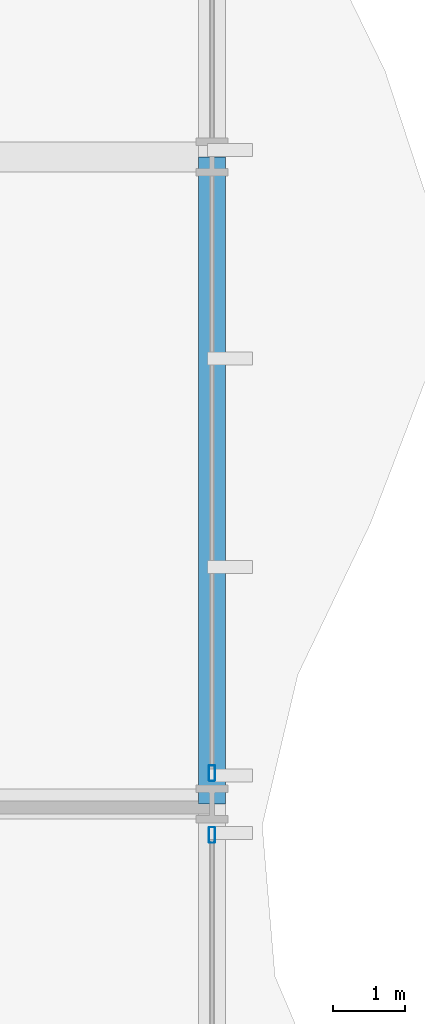
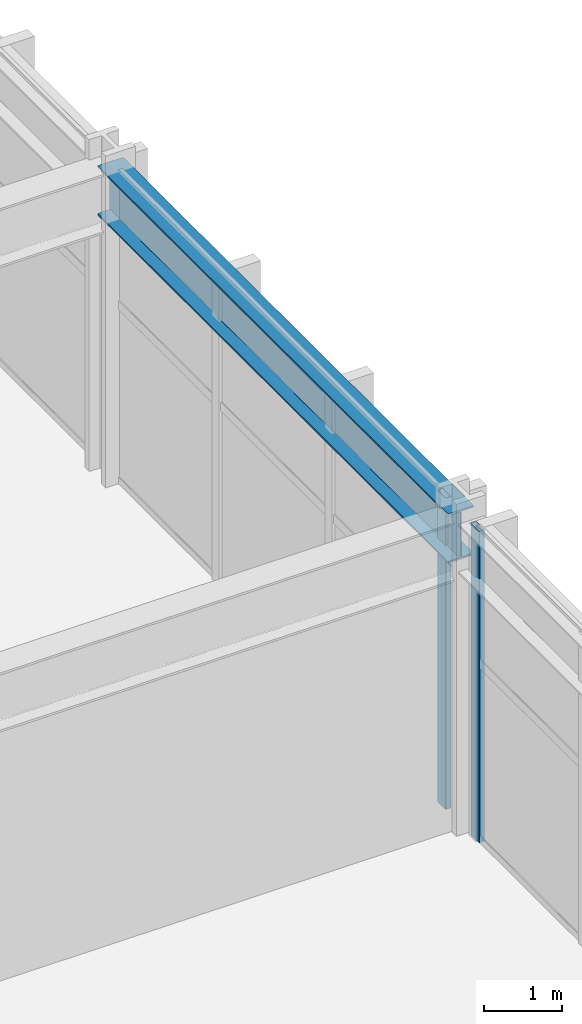
# One storey, part 13 of 31: 2 members, 1 beam, 2 elements without a shape of their own.
"""IFC4 building model written with IfcOpenShell, lengths in metres."""

import ifcopenshell
import ifcopenshell.guid

model = None  # the IFC model being written
_history = None  # IfcOwnerHistory: only IFC2X3 demands one
_inside = {}  # id of a spatial element -> (the spatial element, [elements in it])
_under = {}  # id of a project, library or spatial element -> (it, [spatial elements below it])
_declared = {}  # id of a project -> (the project, [libraries it declares])
_typed = {}  # id of a type object -> (the type object, [elements of that type])
_made_of = {}  # id of a material, layer set ... -> (it, [elements and type objects made of it])


def new_model(schema):
    """Start an empty IFC model of exactly this schema.

    Asked for "IFC4X3", IfcOpenShell would pick the latest addendum, in which some entities
    have other attributes; the version numbers below select the first issue.
    IFC2X3 requires an IfcOwnerHistory on every rooted entity: one is made here for all.
    """
    global model, _history
    if schema == "IFC4X3":
        model = ifcopenshell.file(schema_version=(4, 3, 0, 0))
    else:
        model = ifcopenshell.file(schema=schema)
    _inside.clear()
    _under.clear()
    _declared.clear()
    _typed.clear()
    _made_of.clear()
    _history = None
    if model.schema == "IFC2X3":
        org = make("IfcOrganization", Name="unknown")
        user = make(
            "IfcPersonAndOrganization",
            ThePerson=make("IfcPerson", FamilyName="unknown"),
            TheOrganization=org,
        )
        app = make(
            "IfcApplication",
            ApplicationDeveloper=org,
            Version="unknown",
            ApplicationFullName="unknown",
            ApplicationIdentifier="unknown",
        )
        _history = make(
            "IfcOwnerHistory",
            OwningUser=user,
            OwningApplication=app,
            ChangeAction="ADDED",
            CreationDate=0,
        )
    return model


def make(cls, **values):
    """One entity of the class cls with the attributes given. An attribute that is None is left unset."""
    return model.create_entity(
        cls, **{name: value for name, value in values.items() if value is not None}
    )


def rooted(cls, **values):
    """An entity with a GlobalId (a new one), such as an element, a storey or a relation."""
    return make(cls, GlobalId=ifcopenshell.guid.new(), OwnerHistory=_history, **values)


def si_unit(unit_type, name, prefix=None):
    """IfcSIUnit, for example si_unit("LENGTHUNIT", "METRE", prefix="MILLI")."""
    return make("IfcSIUnit", UnitType=unit_type, Prefix=prefix, Name=name)


def assignment(units):
    """IfcUnitAssignment: the units of a project."""
    return None if units is None else make("IfcUnitAssignment", Units=units)


def point(xyz):
    """IfcCartesianPoint."""
    return None if xyz is None else make("IfcCartesianPoint", Coordinates=xyz)


def direction(xyz):
    """IfcDirection."""
    return None if xyz is None else make("IfcDirection", DirectionRatios=xyz)


def frame(location, z_axis=None, x_axis=None):
    """IfcAxis2Placement3D, a coordinate frame: its origin and axes. An axis left out is left unset."""
    return make(
        "IfcAxis2Placement3D",
        Location=point(location),
        Axis=direction(z_axis),
        RefDirection=direction(x_axis),
    )


def frame_2d(location, x_axis=None):
    """IfcAxis2Placement2D, a coordinate frame in the plane: its origin and x axis."""
    return make(
        "IfcAxis2Placement2D", Location=point(location), RefDirection=direction(x_axis)
    )


def origin():
    """The frame at (0, 0, 0) with its axes left unset."""
    return frame((0.0, 0.0, 0.0))


def origin_2d():
    """The frame at (0, 0) in the plane with its x axis left unset."""
    return frame_2d((0.0, 0.0))


def place(relative_to, where):
    """IfcLocalPlacement: puts the frame where relative to a parent placement (None: the world)."""
    return make(
        "IfcLocalPlacement", PlacementRelTo=relative_to, RelativePlacement=where
    )


def context(
    kind, dimensions, precision=None, world=None, true_north=None, identifier=None
):
    """IfcGeometricRepresentationContext, for example the 3D "Model" context."""
    return make(
        "IfcGeometricRepresentationContext",
        ContextIdentifier=identifier,
        ContextType=kind,
        CoordinateSpaceDimension=dimensions,
        Precision=precision,
        WorldCoordinateSystem=world,
        TrueNorth=true_north,
    )


def subcontext(parent, identifier, kind, view, scale=None):
    """IfcGeometricRepresentationSubContext, for example "Body" below "Model"."""
    return make(
        "IfcGeometricRepresentationSubContext",
        ContextIdentifier=identifier,
        ContextType=kind,
        ParentContext=parent,
        TargetScale=scale,
        TargetView=view,
    )


def project(units=None, contexts=None):
    """IfcProject with its units and contexts."""
    return rooted(
        "IfcProject",
        Name="project",
        RepresentationContexts=contexts,
        UnitsInContext=assignment(units),
    )


def spatial(cls, under=None, at=None, **own):
    """A site, building, storey or space (cls), placed at a placement, below another one or the project."""
    s = rooted(cls, ObjectPlacement=at, **own)
    if under is not None:
        _under.setdefault(under.id(), (under, []))[1].append(s)
    return s


def profile(cls, at=None, kind="AREA", **sizes):
    """A parametric profile (cls). Its sizes go by their IFC names, for example OverallWidth=200.0."""
    return make(cls, ProfileType=kind, Position=at, **sizes)


def hollow_rectangle(**sizes):
    """IfcRectangleHollowProfileDef."""
    return profile("IfcRectangleHollowProfileDef", **sizes)


def i_section(**sizes):
    """IfcIShapeProfileDef."""
    return profile("IfcIShapeProfileDef", **sizes)


def extrude(swept, where, along, depth):
    """IfcExtrudedAreaSolid: the profile swept, set in the frame where, extruded along a direction by depth."""
    return make(
        "IfcExtrudedAreaSolid",
        SweptArea=swept,
        Position=where,
        ExtrudedDirection=direction(along),
        Depth=depth,
    )


def shape(context_of_items, identifier, shape_type, items):
    """IfcShapeRepresentation: the items that make up one representation, for example the "Body"."""
    return make(
        "IfcShapeRepresentation",
        ContextOfItems=context_of_items,
        RepresentationIdentifier=identifier,
        RepresentationType=shape_type,
        Items=items,
    )


def material(Name=None, Category=None):
    """IfcMaterial."""
    return make("IfcMaterial", Name=Name, Category=Category)


def layer(
    of_material, thickness, ventilated=None, Name=None, Category=None, Priority=None
):
    """IfcMaterialLayer: one layer of a wall or slab, of a material (None: an air gap)."""
    return make(
        "IfcMaterialLayer",
        Material=of_material,
        LayerThickness=thickness,
        IsVentilated=ventilated,
        Name=Name,
        Category=Category,
        Priority=Priority,
    )


def layer_set(layers, Name=None):
    """IfcMaterialLayerSet."""
    return make("IfcMaterialLayerSet", MaterialLayers=layers, LayerSetName=Name)


def material_profile(
    of_material, cross_section, Name=None, Category=None, Priority=None
):
    """IfcMaterialProfile: a cross section and its material."""
    return make(
        "IfcMaterialProfile",
        Name=Name,
        Material=of_material,
        Profile=cross_section,
        Priority=Priority,
        Category=Category,
    )


def profile_set(profiles, Name=None, composite=None):
    """IfcMaterialProfileSet."""
    return make(
        "IfcMaterialProfileSet",
        Name=Name,
        MaterialProfiles=profiles,
        CompositeProfile=composite,
    )


def made_of(thing, what):
    """Note that an element or type object is made of a material, layer set ...; save() writes the relation."""
    if what is not None:
        _made_of.setdefault(what.id(), (what, []))[1].append(thing)
    return thing


def type_object(cls, material=None, **own):
    """A type object (cls), such as IfcWallType, which elements share."""
    return made_of(rooted(cls, **own), material)


def element(
    cls,
    number,
    at=None,
    inside=None,
    cuts=None,
    type_object=None,
    material=None,
    context=None,
    identifier="Body",
    shape_type=None,
    held_by="IfcProductDefinitionShape",
    body=None,
    shapes=None,
    **own,
):
    """One element of the class cls, such as IfcWall. Its Tag is "e" and its number.

    at: its placement. inside: the storey or other place that contains it. cuts: it is an
    opening in that element (IfcRelVoidsElement). A single representation is given by context,
    identifier, shape_type and body (its items); several are given by shapes. held_by: the class
    of the entity that holds the representations. save() writes the other relations.
    """
    e = rooted(cls, Tag="e%d" % number, ObjectPlacement=at, **own)
    if body is not None:
        shapes = [shape(context, identifier, shape_type, body)]
    if shapes is not None:
        e.Representation = make(held_by, Representations=shapes)
    if inside is not None:
        _inside.setdefault(inside.id(), (inside, []))[1].append(e)
    if cuts is not None:
        rooted(
            "IfcRelVoidsElement", RelatingBuildingElement=cuts, RelatedOpeningElement=e
        )
    if type_object is not None:
        _typed.setdefault(type_object.id(), (type_object, []))[1].append(e)
    return made_of(e, material)


def aggregate(whole, parts):
    """IfcRelAggregates: a whole, such as a stair, and the parts it consists of."""
    return rooted("IfcRelAggregates", RelatingObject=whole, RelatedObjects=parts)


def save(model, path):
    """Write the relations noted so far, then the file.

    IfcRelAggregates (storeys below a building ...), IfcRelContainedInSpatialStructure (elements
    in a storey), IfcRelDefinesByType, IfcRelAssociatesMaterial and IfcRelDeclares: one each for
    every whole, place, type object, material and project.
    """
    for whole, parts in _under.values():
        aggregate(whole, parts)
    for where, things in _inside.values():
        rooted(
            "IfcRelContainedInSpatialStructure",
            RelatedElements=things,
            RelatingStructure=where,
        )
    for kind, things in _typed.values():
        rooted("IfcRelDefinesByType", RelatedObjects=things, RelatingType=kind)
    for what, things in _made_of.values():
        rooted("IfcRelAssociatesMaterial", RelatedObjects=things, RelatingMaterial=what)
    for by, libraries in _declared.values():
        rooted("IfcRelDeclares", RelatingContext=by, RelatedDefinitions=libraries)
    model.write(path)


model = new_model("IFC4")

# Units and contexts
model_context = context("Model", 3, precision=1e-05, world=origin(), true_north=direction((0.0, 1.0)))
body_context = subcontext(model_context, "Body", "Model", "MODEL_VIEW")
ifc_project = project(units=[si_unit("LENGTHUNIT", "METRE"), si_unit("AREAUNIT", "SQUARE_METRE"), si_unit("VOLUMEUNIT", "CUBIC_METRE"), si_unit("PLANEANGLEUNIT", "RADIAN"), si_unit("MASSUNIT", "GRAM", prefix="KILO")], contexts=[model_context])

# Site, building, storey
site_placement = place(None, origin())
site = spatial("IfcSite", under=ifc_project, at=site_placement, CompositionType="ELEMENT")
building_placement = place(site_placement, origin())
building = spatial("IfcBuilding", under=site, at=building_placement, Name="Solvaryn Broadcast Tower", CompositionType="ELEMENT")
storey_placement = place(building_placement, frame((0.0, 0.0, 11.0)))
storey = spatial("IfcBuildingStorey", under=building, at=storey_placement, Name="L02", CompositionType="ELEMENT", Elevation=11.0)

# Beam
ifc_material_1 = material(Name="Steel ASTM A992 Grade 50", Category="steel")
ifc_material_profile_1 = material_profile(ifc_material_1, i_section(OverallWidth=0.381103515625, OverallDepth=0.77294921875, WebThickness=0.0166015625, FlangeThickness=0.027099609375, FilletRadius=0.01806640625, at=origin_2d()))
ifc_profile_set_1 = profile_set([ifc_material_profile_1], Name="Steel ASTM A992 Grade 50")
beam_type = type_object("IfcBeamType", Name="BM-SP1-W30X173", PredefinedType="USERDEFINED", material=ifc_profile_set_1)
beam_placement = place(storey_placement, frame((63.0, 27.0, 4.493408203125), z_axis=(0.0, 1.0, 0.0), x_axis=(-1.0, 0.0, 0.0)))
element("IfcBeam", 1, at=beam_placement, inside=storey, type_object=beam_type, Name="L02 Spandrel Beam Y (27-36 @ X=63)", ObjectType="SPANDREL", PredefinedType="USERDEFINED", context=body_context, shape_type="SweptSolid", body=[
    extrude(i_section(OverallWidth=0.381103515625, OverallDepth=0.77294921875, WebThickness=0.0166015625, FlangeThickness=0.027099609375, FilletRadius=0.01806640625, at=origin_2d()), origin(), (0.0, 0.0, 1.0), 9.0),
])

# Curtain wall, member
ifc_material_2 = material(Name="Aluminium and Terracotta Unitised Curtain Wall", Category="masonry")
ifc_layer = layer(ifc_material_2, 0.219970703125)
ifc_layer_set = layer_set([ifc_layer], Name="CW-SYS1-PODIUM")
curtain_wall_type = type_object("IfcCurtainWallType", Name="CW-SYS1-PODIUM", PredefinedType="NOTDEFINED", material=ifc_layer_set)
curtain_wall_1_placement = place(storey_placement, origin())
curtain_wall_1 = element("IfcCurtainWall", 2, at=curtain_wall_1_placement, inside=storey, type_object=curtain_wall_type, Name="L02 Podium Curtain Wall E1", PredefinedType="NOTDEFINED")
ifc_material_3 = material(Name="Anodised Aluminium 6063-T6", Category="aluminium")
ifc_material_profile_2 = material_profile(ifc_material_3, hollow_rectangle(XDim=0.0849609375, YDim=0.219970703125, WallThickness=0.0048828125, InnerFilletRadius=0.0048828125, OuterFilletRadius=0.010009765625, at=origin_2d()))
ifc_profile_set_2 = profile_set([ifc_material_profile_2], Name="Anodised Aluminium 6063-T6")
member_type = type_object("IfcMemberType", Name="CW-MUL-220", PredefinedType="MULLION", material=ifc_profile_set_2)
member_1_placement = place(storey_placement, frame((63.0, 27.429931640625, 0.0), z_axis=(0.0, 0.0, 1.0), x_axis=(1.0, 0.0, 0.0)))
member_1 = element("IfcMember", 3, at=member_1_placement, type_object=member_type, Name="CWS1 mullion 3", PredefinedType="MULLION", context=body_context, shape_type="SweptSolid", body=[
    extrude(hollow_rectangle(XDim=0.0849609375, YDim=0.219970703125, WallThickness=0.0048828125, InnerFilletRadius=0.0048828125, OuterFilletRadius=0.010009765625, at=origin_2d()), origin(), (0.0, 0.0, 1.0), 4.8798828125),
])
aggregate(curtain_wall_1, [member_1])

curtain_wall_2_placement = place(storey_placement, origin())
curtain_wall_2 = element("IfcCurtainWall", 4, at=curtain_wall_2_placement, inside=storey, type_object=curtain_wall_type, Name="L02 Podium Curtain Wall E2", PredefinedType="NOTDEFINED")
member_2_placement = place(storey_placement, frame((63.0, 26.570068359375, 0.0), z_axis=(0.0, 0.0, 1.0), x_axis=(1.0, 0.0, 0.0)))
member_2 = element("IfcMember", 5, at=member_2_placement, type_object=member_type, Name="CWS1 mullion 1", PredefinedType="MULLION", context=body_context, shape_type="SweptSolid", body=[
    extrude(hollow_rectangle(XDim=0.0849609375, YDim=0.219970703125, WallThickness=0.0048828125, InnerFilletRadius=0.0048828125, OuterFilletRadius=0.010009765625, at=origin_2d()), origin(), (0.0, 0.0, 1.0), 4.8798828125),
])
aggregate(curtain_wall_2, [member_2])

save(model, "model.ifc")
